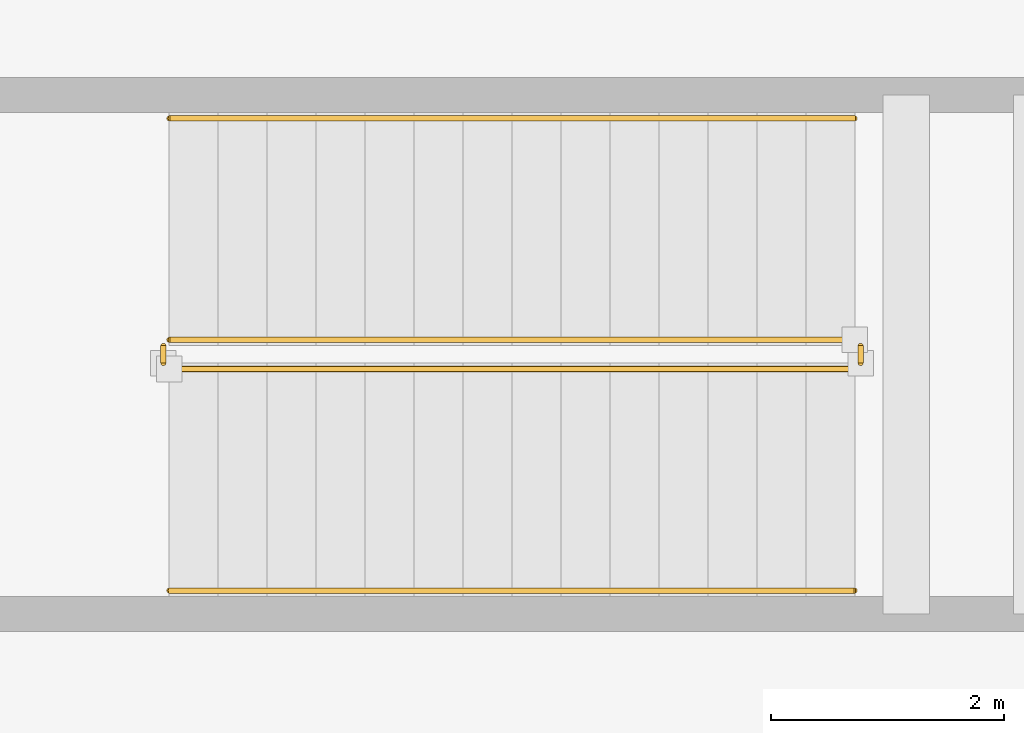
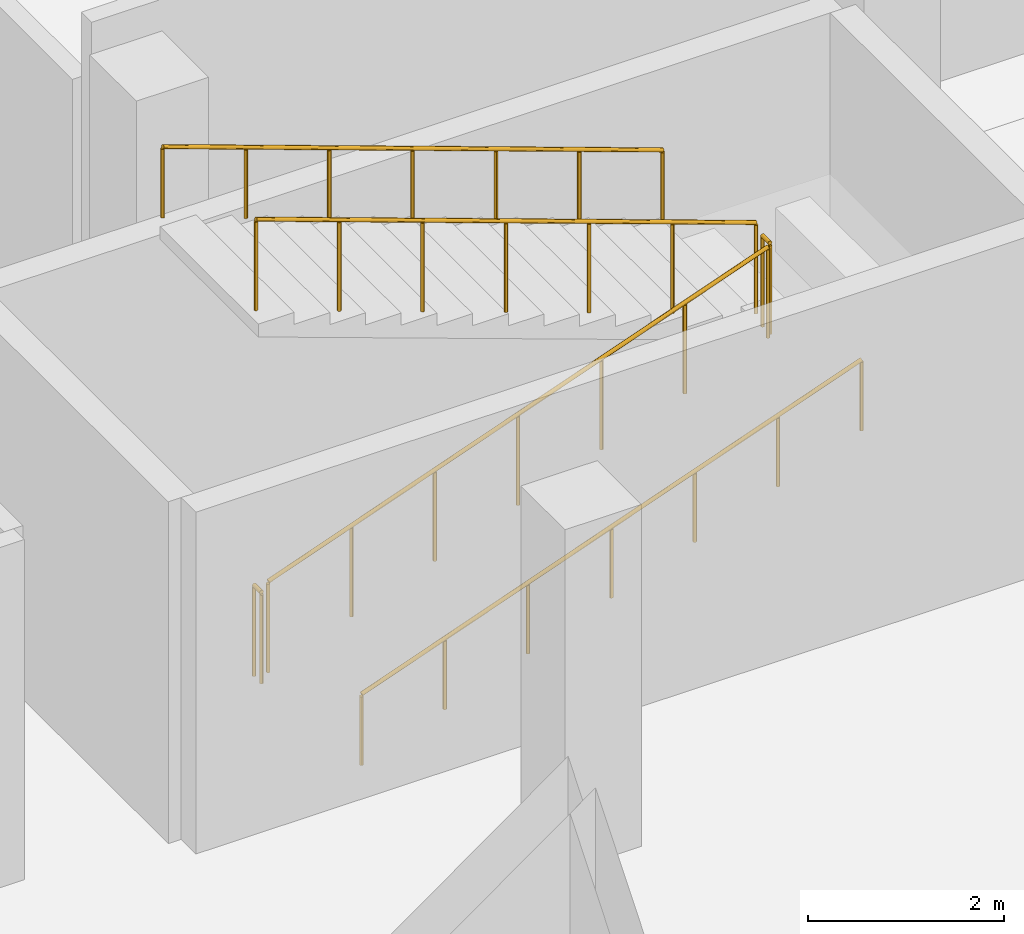
# One storey, part 67 of 76: 6 railings.
"""IFC4 building model written with IfcOpenShell, lengths in metres."""

from ifc_helpers import new_model, si_unit, direction, frame, origin, origin_2d, place, context, subcontext, project, spatial, circle, extrude, material, layer, layer_set, type_object, element, save


model = new_model("IFC4")

# Units and contexts
model_context = context("Model", 3, precision=1e-05, world=origin(), true_north=direction((0.0, 1.0)))
body_context = subcontext(model_context, "Body", "Model", "MODEL_VIEW")
ifc_project = project(units=[si_unit("LENGTHUNIT", "METRE"), si_unit("AREAUNIT", "SQUARE_METRE"), si_unit("VOLUMEUNIT", "CUBIC_METRE"), si_unit("PLANEANGLEUNIT", "RADIAN"), si_unit("MASSUNIT", "GRAM", prefix="KILO")], contexts=[model_context])

# Site, building, storey
site_placement = place(None, origin())
site = spatial("IfcSite", under=ifc_project, at=site_placement, CompositionType="ELEMENT")
building_placement = place(site_placement, origin())
building = spatial("IfcBuilding", under=site, at=building_placement, Name="Varnakota Cinema and Media Centre", CompositionType="ELEMENT")
storey_placement = place(building_placement, origin())
storey = spatial("IfcBuildingStorey", under=building, at=storey_placement, Name="L00", CompositionType="ELEMENT", Elevation=0.0)

# Railings
ifc_material_1 = material(Name="Structural steel Grade 350 (E350)", Category="steel")
ifc_layer_1 = layer(ifc_material_1, 0.050048828125)
ifc_layer_set_1 = layer_set([ifc_layer_1], Name="Structural steel Grade 350 (E350)")
railing_type_1 = type_object("IfcRailingType", Name="RAIL-STAIR-GUARD-1150", PredefinedType="GUARDRAIL", material=ifc_layer_set_1)
railing_1_placement = place(storey_placement, frame((24.39990234375, 30.35009765625, 0.14990234375)))
element("IfcRailing", 1, at=railing_1_placement, inside=storey, type_object=railing_type_1, Name="L00 ST-02 stair guard 1", PredefinedType="GUARDRAIL", context=body_context, shape_type="SweptSolid", body=[
    extrude(circle(Radius=0.02392578125, at=origin_2d()), frame((0.0, 0.0, 1.1259765625), z_axis=(0.941739257675, 0.0, 0.336343827881), x_axis=(0.0, 1.0, 0.0)), (0.0, 0.0, 1.0), 6.243896484375),
    extrude(circle(Radius=0.02099609375, at=origin_2d()), origin(), (0.0, 0.0, 1.0), 1.101806640625),
    extrude(circle(Radius=0.02099609375, at=origin_2d()), frame((0.97998046875, 0.0, 0.35009765625)), (0.0, 0.0, 1.0), 1.101806640625),
    extrude(circle(Radius=0.02099609375, at=origin_2d()), frame((1.9599609375, 0.0, 0.699951171875)), (0.0, 0.0, 1.0), 1.101806640625),
    extrude(circle(Radius=0.02099609375, at=origin_2d()), frame((2.93994140625, 0.0, 1.050048828125)), (0.0, 0.0, 1.0), 1.101806640625),
    extrude(circle(Radius=0.02099609375, at=origin_2d()), frame((3.920166015625, 0.0, 1.400146484375)), (0.0, 0.0, 1.0), 1.101806640625),
    extrude(circle(Radius=0.02099609375, at=origin_2d()), frame((4.900146484375, 0.0, 1.75)), (0.0, 0.0, 1.0), 1.101806640625),
    extrude(circle(Radius=0.02099609375, at=origin_2d()), frame((5.880126953125, 0.0, 2.10009765625)), (0.0, 0.0, 1.0), 1.101806640625),
])
railing_2_placement = place(storey_placement, frame((30.330078125, 30.39990234375, 2.25)))
element("IfcRailing", 2, at=railing_2_placement, inside=storey, type_object=railing_type_1, Name="L00 ST-02 stair guard 2", PredefinedType="GUARDRAIL", context=body_context, shape_type="SweptSolid", body=[
    extrude(circle(Radius=0.02392578125, at=origin_2d()), frame((0.0, 0.0, 1.1259765625), z_axis=(0.0, 1.0, 0.0), x_axis=(-1.0, 0.0, 0.0)), (0.0, 0.0, 1.0), 0.150146484375),
    extrude(circle(Radius=0.02099609375, at=origin_2d()), origin(), (0.0, 0.0, 1.0), 1.101806640625),
    extrude(circle(Radius=0.02099609375, at=origin_2d()), frame((0.0, 0.150146484375, 0.0)), (0.0, 0.0, 1.0), 1.101806640625),
])
railing_3_placement = place(storey_placement, frame((30.280029296875, 30.60009765625, 2.39990234375)))
element("IfcRailing", 3, at=railing_3_placement, inside=storey, type_object=railing_type_1, Name="L00 ST-02 stair guard 3", PredefinedType="GUARDRAIL", context=body_context, shape_type="SweptSolid", body=[
    extrude(circle(Radius=0.02392578125, at=origin_2d()), frame((0.0, 0.0, 1.1259765625), z_axis=(-0.941739257675, 0.0, 0.336343827881), x_axis=(0.0, -1.0, 0.0)), (0.0, 0.0, 1.0), 6.243896484375),
    extrude(circle(Radius=0.02099609375, at=origin_2d()), origin(), (0.0, 0.0, 1.0), 1.101806640625),
    extrude(circle(Radius=0.02099609375, at=origin_2d()), frame((-0.97998046875, 0.0, 0.35009765625)), (0.0, 0.0, 1.0), 1.101806640625),
    extrude(circle(Radius=0.02099609375, at=origin_2d()), frame((-1.9599609375, 0.0, 0.699951171875)), (0.0, 0.0, 1.0), 1.101806640625),
    extrude(circle(Radius=0.02099609375, at=origin_2d()), frame((-2.93994140625, 0.0, 1.050048828125)), (0.0, 0.0, 1.0), 1.101806640625),
    extrude(circle(Radius=0.02099609375, at=origin_2d()), frame((-3.920166015625, 0.0, 1.400146484375)), (0.0, 0.0, 1.0), 1.101806640625),
    extrude(circle(Radius=0.02099609375, at=origin_2d()), frame((-4.900146484375, 0.0, 1.75)), (0.0, 0.0, 1.0), 1.101806640625),
    extrude(circle(Radius=0.02099609375, at=origin_2d()), frame((-5.880126953125, 0.0, 2.10009765625)), (0.0, 0.0, 1.0), 1.101806640625),
])
railing_4_placement = place(storey_placement, frame((24.35009765625, 30.39990234375, 0.0)))
element("IfcRailing", 4, at=railing_4_placement, inside=storey, type_object=railing_type_1, Name="L00 ST-02 stair guard 4", PredefinedType="GUARDRAIL", context=body_context, shape_type="SweptSolid", body=[
    extrude(circle(Radius=0.02392578125, at=origin_2d()), frame((0.0, 0.0, 1.1259765625), z_axis=(0.0, 1.0, 0.0), x_axis=(-1.0, 0.0, 0.0)), (0.0, 0.0, 1.0), 0.150146484375),
    extrude(circle(Radius=0.02099609375, at=origin_2d()), origin(), (0.0, 0.0, 1.0), 1.101806640625),
    extrude(circle(Radius=0.02099609375, at=origin_2d()), frame((0.0, 0.150146484375, 0.0)), (0.0, 0.0, 1.0), 1.101806640625),
])
ifc_material_2 = material(Name="Structural steel Grade 350 (E350)", Category="steel")
ifc_layer_2 = layer(ifc_material_2, 0.048095703125)
ifc_layer_set_2 = layer_set([ifc_layer_2], Name="Structural steel Grade 350 (E350)")
railing_type_2 = type_object("IfcRailingType", Name="RAIL-STAIR-HAND-900", PredefinedType="HANDRAIL", material=ifc_layer_set_2)
railing_5_placement = place(storey_placement, frame((24.39990234375, 28.449951171875, 0.14990234375)))
element("IfcRailing", 5, at=railing_5_placement, inside=storey, type_object=railing_type_2, Name="L00 ST-02 stair handrail 1", PredefinedType="HANDRAIL", context=body_context, shape_type="SweptSolid", body=[
    extrude(circle(Radius=0.02392578125, at=origin_2d()), frame((0.0, 0.0, 0.8759765625), z_axis=(0.941739257675, 0.0, 0.336343827881), x_axis=(0.0, 1.0, 0.0)), (0.0, 0.0, 1.0), 6.243896484375),
    extrude(circle(Radius=0.02099609375, at=origin_2d()), origin(), (0.0, 0.0, 1.0), 0.851806640625),
    extrude(circle(Radius=0.02099609375, at=origin_2d()), frame((0.97998046875, 0.0, 0.35009765625)), (0.0, 0.0, 1.0), 0.851806640625),
    extrude(circle(Radius=0.02099609375, at=origin_2d()), frame((1.9599609375, 0.0, 0.699951171875)), (0.0, 0.0, 1.0), 0.851806640625),
    extrude(circle(Radius=0.02099609375, at=origin_2d()), frame((2.93994140625, 0.0, 1.050048828125)), (0.0, 0.0, 1.0), 0.851806640625),
    extrude(circle(Radius=0.02099609375, at=origin_2d()), frame((3.920166015625, 0.0, 1.400146484375)), (0.0, 0.0, 1.0), 0.851806640625),
    extrude(circle(Radius=0.02099609375, at=origin_2d()), frame((4.900146484375, 0.0, 1.75)), (0.0, 0.0, 1.0), 0.851806640625),
    extrude(circle(Radius=0.02099609375, at=origin_2d()), frame((5.880126953125, 0.0, 2.10009765625)), (0.0, 0.0, 1.0), 0.851806640625),
])
railing_6_placement = place(storey_placement, frame((30.280029296875, 32.5, 2.39990234375)))
element("IfcRailing", 6, at=railing_6_placement, inside=storey, type_object=railing_type_2, Name="L00 ST-02 stair handrail 2", PredefinedType="HANDRAIL", context=body_context, shape_type="SweptSolid", body=[
    extrude(circle(Radius=0.02392578125, at=origin_2d()), frame((0.0, 0.0, 0.8759765625), z_axis=(-0.941739257675, 0.0, 0.336343827881), x_axis=(0.0, -1.0, 0.0)), (0.0, 0.0, 1.0), 6.243896484375),
    extrude(circle(Radius=0.02099609375, at=origin_2d()), origin(), (0.0, 0.0, 1.0), 0.851806640625),
    extrude(circle(Radius=0.02099609375, at=origin_2d()), frame((-0.97998046875, 0.0, 0.35009765625)), (0.0, 0.0, 1.0), 0.851806640625),
    extrude(circle(Radius=0.02099609375, at=origin_2d()), frame((-1.9599609375, 0.0, 0.699951171875)), (0.0, 0.0, 1.0), 0.851806640625),
    extrude(circle(Radius=0.02099609375, at=origin_2d()), frame((-2.93994140625, 0.0, 1.050048828125)), (0.0, 0.0, 1.0), 0.851806640625),
    extrude(circle(Radius=0.02099609375, at=origin_2d()), frame((-3.920166015625, 0.0, 1.400146484375)), (0.0, 0.0, 1.0), 0.851806640625),
    extrude(circle(Radius=0.02099609375, at=origin_2d()), frame((-4.900146484375, 0.0, 1.75)), (0.0, 0.0, 1.0), 0.851806640625),
    extrude(circle(Radius=0.02099609375, at=origin_2d()), frame((-5.880126953125, 0.0, 2.10009765625)), (0.0, 0.0, 1.0), 0.851806640625),
])

save(model, "model.ifc")
